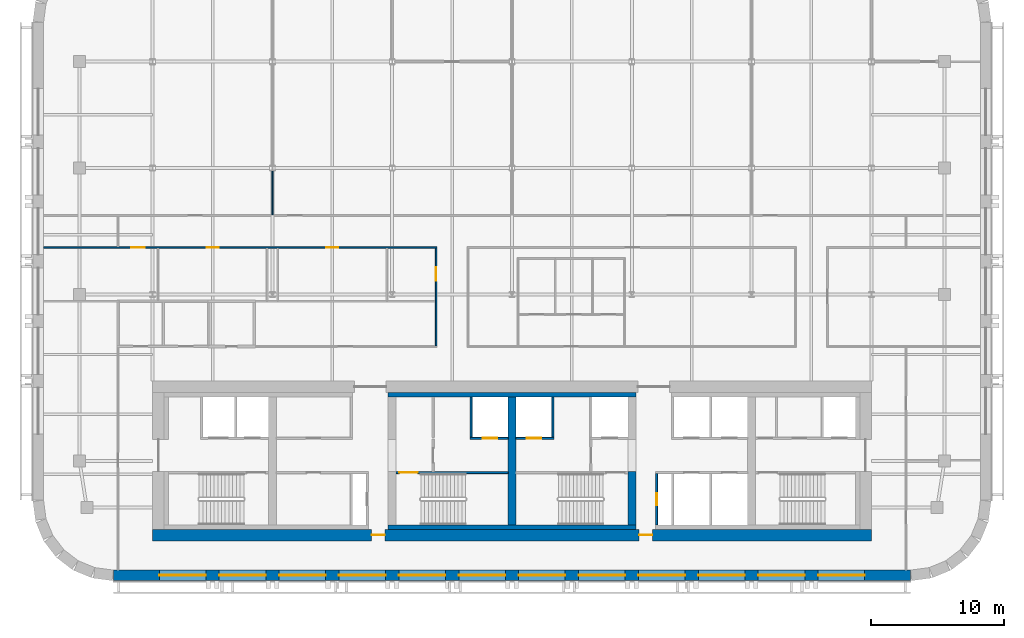
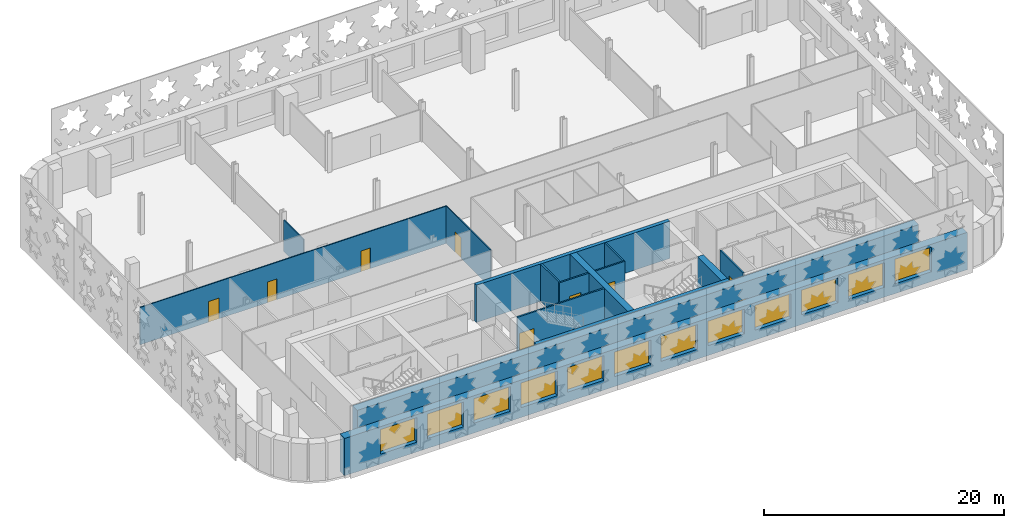
# One storey, part 4 of 12: 15 walls, 12 windows, 10 doors, 22 openings.
"""IFC4 building model written with IfcOpenShell, lengths in metres."""

from ifc_helpers import new_model, si_unit, direction, frame, frame_2d, origin, place, context, subcontext, project, spatial, rectangle, extrude, material, layer, layer_set, type_object, element, fill, save


model = new_model("IFC4")

# Units and contexts
model_context = context("Model", 3, precision=1e-05, world=origin(), true_north=direction((0.0, 1.0)))
body_context = subcontext(model_context, "Body", "Model", "MODEL_VIEW")
ifc_project = project(units=[si_unit("LENGTHUNIT", "METRE"), si_unit("AREAUNIT", "SQUARE_METRE"), si_unit("VOLUMEUNIT", "CUBIC_METRE"), si_unit("PLANEANGLEUNIT", "RADIAN"), si_unit("MASSUNIT", "GRAM", prefix="KILO")], contexts=[model_context])

# Site, building, storey
site_placement = place(None, origin())
site = spatial("IfcSite", under=ifc_project, at=site_placement, CompositionType="ELEMENT")
building_placement = place(site_placement, origin())
building = spatial("IfcBuilding", under=site, at=building_placement, Name="Zellij Exchange Tower", CompositionType="ELEMENT")
storey_placement = place(building_placement, frame((0.0, 0.0, 196.5)))
storey = spatial("IfcBuildingStorey", under=building, at=storey_placement, Name="L45", CompositionType="ELEMENT", Elevation=196.5)

# Walls
ifc_material_1 = material(Name="Concrete C60/75", Category="concrete")
ifc_layer_1 = layer(ifc_material_1, 0.60009765625)
ifc_layer_set_1 = layer_set([ifc_layer_1], Name="Concrete C60/75")
wall_type_1 = type_object("IfcWallType", Name="CORE-CW 600 C60/75", PredefinedType="SHEAR", material=ifc_layer_set_1)
wall_1_placement = place(storey_placement, frame((0.0, -12.800048828125, 0.0), z_axis=(0.0, 0.0, 1.0), x_axis=(0.0, 1.0, 0.0)))
element("IfcWall", 1, at=wall_1_placement, inside=storey, type_object=wall_type_1, Name="Core cross wall x 0 L45", PredefinedType="SHEAR", context=body_context, shape_type="SweptSolid", body=[
    extrude(rectangle(XDim=9.60009765625, YDim=0.60009765625, at=frame_2d((4.800048828125, 0.0))), origin(), (0.0, 0.0, 1.0), 3.800048828125),
])
wall_2_placement = place(storey_placement, frame((9.0, -12.800048828125, 0.0), z_axis=(0.0, 0.0, 1.0), x_axis=(0.0, 1.0, 0.0)))
element("IfcWall", 2, at=wall_2_placement, inside=storey, type_object=wall_type_1, Name="Core cross wall pier x 9 a L45", PredefinedType="SHEAR", context=body_context, shape_type="SweptSolid", body=[
    extrude(rectangle(XDim=4.0, YDim=0.60009765625, at=frame_2d((2.0, 0.0))), origin(), (0.0, 0.0, 1.0), 3.800048828125),
])
ifc_material_2 = material(Name="Concrete C30/37", Category="concrete")
ifc_layer_2 = layer(ifc_material_2, 0.35009765625)
ifc_layer_set_2 = layer_set([ifc_layer_2], Name="Concrete C30/37")
wall_type_2 = type_object("IfcWallType", Name="CORE-LW 350 C30/37", PredefinedType="SHEAR", material=ifc_layer_set_2)
for number, where, z_axis, x_axis, name in (
    (3, (-9.300048828125, -3.02490234375, 0.0), (0.0, 0.0, 1.0), (1.0, 0.0, 0.0), "Core wall lining front.1 L45"),
    (4, (-9.300048828125, -12.97509765625, 0.0), (0.0, 0.0, 1.0), (1.0, 0.0, 0.0), "Core wall lining rear.1 L45"),
):
    element("IfcWall", number, at=place(storey_placement, frame(where, z_axis=z_axis, x_axis=x_axis)), inside=storey, type_object=wall_type_2, Name=name, PredefinedType="SHEAR", context=body_context, shape_type="SweptSolid", body=[
        extrude(rectangle(XDim=18.60009765625, YDim=0.35009765625, at=frame_2d((9.300048828125, 0.0))), origin(), (0.0, 0.0, 1.0), 3.800048828125),
    ])

# Wall, opening, door
ifc_material_3 = material(Name="Gypsum board partition")
ifc_layer_3 = layer(ifc_material_3, 0.14990234375)
ifc_layer_set_3 = layer_set([ifc_layer_3], Name="Gypsum board partition")
wall_type_3 = type_object("IfcWallType", Name="CORE-PW 150 Lift lobby wall", PredefinedType="PARTITIONING", material=ifc_layer_set_3)
wall_3_placement = place(storey_placement, frame((10.875, -12.800048828125, 0.0), z_axis=(0.0, 0.0, 1.0), x_axis=(0.0, 1.0, 0.0)))
wall_3 = element("IfcWall", 5, at=wall_3_placement, inside=storey, type_object=wall_type_3, Name="Lift lobby wall L45", PredefinedType="PARTITIONING", context=body_context, shape_type="SweptSolid", body=[
    extrude(rectangle(XDim=3.85009765625, YDim=0.14990234375, at=frame_2d((1.925048828125, 0.0))), origin(), (0.0, 0.0, 1.0), 3.800048828125),
])
opening_1_placement = place(wall_3_placement, frame((1.47509765625, 0.0, 0.0)))
opening_1 = element("IfcOpeningElement", 6, at=opening_1_placement, cuts=wall_3, Name="Opening CA-24.19", PredefinedType="OPENING", context=body_context, shape_type="SweptSolid", body=[
    extrude(rectangle(XDim=0.89990234375, YDim=2.10009765625, at=frame_2d((0.449951171875, 1.050048828125))), frame((0.0, 0.0869140625, 0.0), z_axis=(0.0, -1.0, 0.0), x_axis=(1.0, 0.0, 0.0)), (0.0, 0.0, 1.0), 0.173828125),
])
ifc_material_4 = material(Name="Hollow metal fire door")
door_type_1 = type_object("IfcDoorType", Name="CORE-D RD Riser door 900x2100 1.5 HR", OperationType="NOTDEFINED", PredefinedType="DOOR", material=ifc_material_4)
door_1_placement = place(opening_1_placement, origin())
door_1 = element("IfcDoor", 7, at=door_1_placement, inside=storey, type_object=door_type_1, Name="Riser door CA-24.19", OperationType="SINGLE_SWING_LEFT", OverallHeight=2.10009765625, OverallWidth=0.89990234375, PredefinedType="DOOR", context=body_context, shape_type="SweptSolid", body=[
    extrude(rectangle(XDim=0.89990234375, YDim=2.10009765625, at=frame_2d((0.449951171875, 1.050048828125))), frame((0.0, 0.02490234375, 0.0), z_axis=(0.0, -1.0, 0.0), x_axis=(1.0, 0.0, 0.0)), (0.0, 0.0, 1.0), 0.050048828125),
])
fill(opening_1, door_1)

# Walls
ifc_material_5 = material(Name="Gypsum shaft wall system")
ifc_layer_4 = layer(ifc_material_5, 0.14990234375)
ifc_layer_set_4 = layer_set([ifc_layer_4], Name="Gypsum shaft wall system")
wall_type_4 = type_object("IfcWallType", Name="CORE-PW 150 Lift shaft wall", PredefinedType="PARTITIONING", material=ifc_layer_set_4)
for number, where, z_axis, x_axis, name in (
    (8, (-3.074951171875, -6.22509765625, 0.0), (0.0, 0.0, 1.0), (0.0, 1.0, 0.0), "Lift shaft wall L45"),
    (9, (3.074951171875, -6.22509765625, 0.0), (0.0, 0.0, 1.0), (0.0, 1.0, 0.0), "Lift shaft wall L45"),
):
    element("IfcWall", number, at=place(storey_placement, frame(where, z_axis=z_axis, x_axis=x_axis)), inside=storey, type_object=wall_type_4, Name=name, PredefinedType="PARTITIONING", context=body_context, shape_type="SweptSolid", body=[
        extrude(rectangle(XDim=3.025146484375, YDim=0.14990234375, at=frame_2d((1.5126953125, 0.0))), origin(), (0.0, 0.0, 1.0), 3.800048828125),
    ])

# Wall, opening, door
wall_4_placement = place(storey_placement, frame((-3.14990234375, -6.300048828125, 0.0), z_axis=(0.0, 0.0, 1.0), x_axis=(1.0, 0.0, 0.0)))
wall_4 = element("IfcWall", 10, at=wall_4_placement, inside=storey, type_object=wall_type_4, Name="Lift shaft wall L45", PredefinedType="PARTITIONING", context=body_context, shape_type="SweptSolid", body=[
    extrude(rectangle(XDim=2.849853515625, YDim=0.14990234375, at=frame_2d((1.4248046875, 0.0))), origin(), (0.0, 0.0, 1.0), 3.800048828125),
])
opening_2_placement = place(wall_4_placement, frame((0.949951171875, 0.0, 0.0)))
opening_2 = element("IfcOpeningElement", 11, at=opening_2_placement, cuts=wall_4, Name="Opening CA-24.12", PredefinedType="OPENING", context=body_context, shape_type="SweptSolid", body=[
    extrude(rectangle(XDim=1.10009765625, YDim=2.10009765625, at=frame_2d((0.550048828125, 1.050048828125))), frame((0.0, 0.0869140625, 0.0), z_axis=(0.0, -1.0, 0.0), x_axis=(1.0, 0.0, 0.0)), (0.0, 0.0, 1.0), 0.173828125),
])
door_type_2 = type_object("IfcDoorType", Name="CORE-D LD Lift landing door 1100x2100 1.5 HR", OperationType="NOTDEFINED", PredefinedType="DOOR", material=ifc_material_4)
door_2_placement = place(opening_2_placement, origin())
door_2 = element("IfcDoor", 12, at=door_2_placement, inside=storey, type_object=door_type_2, Name="Lift landing door CA-24.12", OperationType="SLIDING_TO_RIGHT", OverallHeight=2.10009765625, OverallWidth=1.10009765625, PredefinedType="DOOR", context=body_context, shape_type="SweptSolid", body=[
    extrude(rectangle(XDim=1.10009765625, YDim=2.10009765625, at=frame_2d((0.550048828125, 1.050048828125))), frame((0.0, 0.02490234375, 0.0), z_axis=(0.0, -1.0, 0.0), x_axis=(1.0, 0.0, 0.0)), (0.0, 0.0, 1.0), 0.050048828125),
])
fill(opening_2, door_2)

wall_5_placement = place(storey_placement, frame((0.300048828125, -6.300048828125, 0.0), z_axis=(0.0, 0.0, 1.0), x_axis=(1.0, 0.0, 0.0)))
wall_5 = element("IfcWall", 13, at=wall_5_placement, inside=storey, type_object=wall_type_4, Name="Lift shaft wall L45", PredefinedType="PARTITIONING", context=body_context, shape_type="SweptSolid", body=[
    extrude(rectangle(XDim=2.849853515625, YDim=0.14990234375, at=frame_2d((1.4248046875, 0.0))), origin(), (0.0, 0.0, 1.0), 3.800048828125),
])
opening_3_placement = place(wall_5_placement, frame((0.800048828125, 0.0, 0.0)))
opening_3 = element("IfcOpeningElement", 14, at=opening_3_placement, cuts=wall_5, Name="Opening CA-24.13", PredefinedType="OPENING", context=body_context, shape_type="SweptSolid", body=[
    extrude(rectangle(XDim=1.10009765625, YDim=2.10009765625, at=frame_2d((0.550048828125, 1.050048828125))), frame((0.0, 0.0869140625, 0.0), z_axis=(0.0, -1.0, 0.0), x_axis=(1.0, 0.0, 0.0)), (0.0, 0.0, 1.0), 0.173828125),
])
door_3_placement = place(opening_3_placement, origin())
door_3 = element("IfcDoor", 15, at=door_3_placement, inside=storey, type_object=door_type_2, Name="Lift landing door CA-24.13", OperationType="SLIDING_TO_LEFT", OverallHeight=2.10009765625, OverallWidth=1.10009765625, PredefinedType="DOOR", context=body_context, shape_type="SweptSolid", body=[
    extrude(rectangle(XDim=1.10009765625, YDim=2.10009765625, at=frame_2d((0.550048828125, 1.050048828125))), frame((0.0, 0.02490234375, 0.0), z_axis=(0.0, -1.0, 0.0), x_axis=(1.0, 0.0, 0.0)), (0.0, 0.0, 1.0), 0.050048828125),
])
fill(opening_3, door_3)

# Wall, openings, doors
ifc_layer_5 = layer(ifc_material_1, 0.85009765625)
ifc_layer_set_5 = layer_set([ifc_layer_5], Name="Concrete C60/75")
wall_type_5 = type_object("IfcWallType", Name="CORE-SW 850 C60/75", PredefinedType="SHEAR", material=ifc_layer_set_5)
wall_6_placement = place(storey_placement, frame((-27.0, -13.574951171875, 0.0), z_axis=(0.0, 0.0, 1.0), x_axis=(1.0, 0.0, 0.0)))
wall_6 = element("IfcWall", 16, at=wall_6_placement, inside=storey, type_object=wall_type_5, Name="Core shear wall rear L45", PredefinedType="SHEAR", context=body_context, shape_type="SweptSolid", body=[
    extrude(rectangle(XDim=54.0, YDim=0.85009765625, at=frame_2d((27.0, 0.0))), origin(), (0.0, 0.0, 1.0), 3.800048828125),
])
opening_4_placement = place(wall_6_placement, frame((16.449951171875, 0.0, 0.0)))
opening_4 = element("IfcOpeningElement", 17, at=opening_4_placement, cuts=wall_6, Name="Opening CA-24.09", PredefinedType="OPENING", context=body_context, shape_type="SweptSolid", body=[
    extrude(rectangle(XDim=1.0, YDim=2.10009765625, at=frame_2d((0.5, 1.050048828125))), frame((0.0, 0.43701171875, 0.0), z_axis=(0.0, -1.0, 0.0), x_axis=(1.0, 0.0, 0.0)), (0.0, 0.0, 1.0), 0.8740234375),
])
opening_5_placement = place(wall_6_placement, frame((36.550048828125, 0.0, 0.0)))
opening_5 = element("IfcOpeningElement", 18, at=opening_5_placement, cuts=wall_6, Name="Opening CA-24.17", PredefinedType="OPENING", context=body_context, shape_type="SweptSolid", body=[
    extrude(rectangle(XDim=1.0, YDim=2.10009765625, at=frame_2d((0.5, 1.050048828125))), frame((0.0, 0.43701171875, 0.0), z_axis=(0.0, -1.0, 0.0), x_axis=(1.0, 0.0, 0.0)), (0.0, 0.0, 1.0), 0.8740234375),
])
door_type_3 = type_object("IfcDoorType", Name="CORE-D CR Core rear door 1000x2100 20 MIN", OperationType="NOTDEFINED", PredefinedType="DOOR", material=ifc_material_4)
door_4_placement = place(opening_4_placement, origin())
door_4 = element("IfcDoor", 19, at=door_4_placement, inside=storey, type_object=door_type_3, Name="Core rear door CA-24.09", OperationType="SINGLE_SWING_RIGHT", OverallHeight=2.10009765625, OverallWidth=1.0, PredefinedType="DOOR", context=body_context, shape_type="SweptSolid", body=[
    extrude(rectangle(XDim=1.0, YDim=2.10009765625, at=frame_2d((0.5, 1.050048828125))), frame((0.0, 0.02490234375, 0.0), z_axis=(0.0, -1.0, 0.0), x_axis=(1.0, 0.0, 0.0)), (0.0, 0.0, 1.0), 0.050048828125),
])
fill(opening_4, door_4)
door_5_placement = place(opening_5_placement, origin())
door_5 = element("IfcDoor", 20, at=door_5_placement, inside=storey, type_object=door_type_3, Name="Core rear door CA-24.17", OperationType="SINGLE_SWING_LEFT", OverallHeight=2.10009765625, OverallWidth=1.0, PredefinedType="DOOR", context=body_context, shape_type="SweptSolid", body=[
    extrude(rectangle(XDim=1.0, YDim=2.10009765625, at=frame_2d((0.5, 1.050048828125))), frame((0.0, 0.02490234375, 0.0), z_axis=(0.0, -1.0, 0.0), x_axis=(1.0, 0.0, 0.0)), (0.0, 0.0, 1.0), 0.050048828125),
])
fill(opening_5, door_5)

# Wall, opening, door
ifc_layer_6 = layer(ifc_material_1, 0.14990234375)
ifc_layer_set_6 = layer_set([ifc_layer_6], Name="Concrete C60/75")
wall_type_6 = type_object("IfcWallType", Name="CORE-SWS 150 C60/75", PredefinedType="SHEAR", material=ifc_layer_set_6)
wall_7_placement = place(storey_placement, frame((-8.699951171875, -8.875, 0.0), z_axis=(0.0, 0.0, 1.0), x_axis=(1.0, 0.0, 0.0)))
wall_7 = element("IfcWall", 21, at=wall_7_placement, inside=storey, type_object=wall_type_6, Name="Stair enclosure wall L45", PredefinedType="SHEAR", context=body_context, shape_type="SweptSolid", body=[
    extrude(rectangle(XDim=8.39990234375, YDim=0.14990234375, at=frame_2d((4.199951171875, 0.0))), origin(), (0.0, 0.0, 1.0), 3.800048828125),
])
opening_6_placement = place(wall_7_placement, frame((0.22509765625, 0.0, 0.0)))
opening_6 = element("IfcOpeningElement", 22, at=opening_6_placement, cuts=wall_7, Name="Opening CA-24.10", PredefinedType="OPENING", context=body_context, shape_type="SweptSolid", body=[
    extrude(rectangle(XDim=1.39990234375, YDim=2.10009765625, at=frame_2d((0.699951171875, 1.050048828125))), frame((0.0, 0.0869140625, 0.0), z_axis=(0.0, -1.0, 0.0), x_axis=(1.0, 0.0, 0.0)), (0.0, 0.0, 1.0), 0.173828125),
])
door_type_4 = type_object("IfcDoorType", Name="CORE-D SD Stair door 1400x2100 1.5 HR", OperationType="NOTDEFINED", PredefinedType="DOOR", material=ifc_material_4)
door_6_placement = place(opening_6_placement, origin())
door_6 = element("IfcDoor", 23, at=door_6_placement, inside=storey, type_object=door_type_4, Name="Stair door CA-24.10", OperationType="DOUBLE_DOOR_SINGLE_SWING", OverallHeight=2.10009765625, OverallWidth=1.39990234375, PredefinedType="DOOR", context=body_context, shape_type="SweptSolid", body=[
    extrude(rectangle(XDim=1.39990234375, YDim=2.10009765625, at=frame_2d((0.699951171875, 1.050048828125))), frame((0.0, 0.02490234375, 0.0), z_axis=(0.0, -1.0, 0.0), x_axis=(1.0, 0.0, 0.0)), (0.0, 0.0, 1.0), 0.050048828125),
])
fill(opening_6, door_6)

# Wall, openings, windows
ifc_material_6 = material(Name="Precast concrete C40/50", Category="concrete")
ifc_layer_7 = layer(ifc_material_6, 0.800048828125)
ifc_layer_set_7 = layer_set([ifc_layer_7], Name="Precast concrete C40/50")
wall_type_7 = type_object("IfcWallType", Name="ENV-EW1 Precast stone-piered wall 800", PredefinedType="SOLIDWALL", material=ifc_layer_set_7)
wall_8_placement = place(storey_placement, frame((-29.947509765625, -16.60009765625, 0.0), z_axis=(0.0, 0.0, 1.0), x_axis=(1.0, 0.0, 0.0)))
wall_8 = element("IfcWall", 24, at=wall_8_placement, inside=storey, type_object=wall_type_7, Name="fac.L45.00", PredefinedType="SOLIDWALL", context=body_context, shape_type="SweptSolid", body=[
    extrude(rectangle(XDim=59.89501953125, YDim=0.800048828125, at=frame_2d((29.947509765625, 0.0))), origin(), (0.0, 0.0, 1.0), 3.800048828125),
])
opening_7_placement = place(wall_8_placement, frame((3.447509765625, 0.0, 1.0)))
opening_7 = element("IfcOpeningElement", 25, at=opening_7_placement, cuts=wall_8, Name="Opening FZ3.01", PredefinedType="OPENING", context=body_context, shape_type="SweptSolid", body=[
    extrude(rectangle(XDim=3.5, YDim=2.5, at=frame_2d((1.75, 1.25))), frame((0.0, 0.412109375, 0.0), z_axis=(0.0, -1.0, 0.0), x_axis=(1.0, 0.0, 0.0)), (0.0, 0.0, 1.0), 0.823974609375),
])
opening_8_placement = place(wall_8_placement, frame((7.947509765625, 0.0, 1.0)))
opening_8 = element("IfcOpeningElement", 26, at=opening_8_placement, cuts=wall_8, Name="Opening FZ3.02", PredefinedType="OPENING", context=body_context, shape_type="SweptSolid", body=[
    extrude(rectangle(XDim=3.5, YDim=2.5, at=frame_2d((1.75, 1.25))), frame((0.0, 0.412109375, 0.0), z_axis=(0.0, -1.0, 0.0), x_axis=(1.0, 0.0, 0.0)), (0.0, 0.0, 1.0), 0.823974609375),
])
opening_9_placement = place(wall_8_placement, frame((12.447509765625, 0.0, 1.0)))
opening_9 = element("IfcOpeningElement", 27, at=opening_9_placement, cuts=wall_8, Name="Opening FZ3.03", PredefinedType="OPENING", context=body_context, shape_type="SweptSolid", body=[
    extrude(rectangle(XDim=3.5, YDim=2.5, at=frame_2d((1.75, 1.25))), frame((0.0, 0.412109375, 0.0), z_axis=(0.0, -1.0, 0.0), x_axis=(1.0, 0.0, 0.0)), (0.0, 0.0, 1.0), 0.823974609375),
])
opening_10_placement = place(wall_8_placement, frame((16.947509765625, 0.0, 1.0)))
opening_10 = element("IfcOpeningElement", 28, at=opening_10_placement, cuts=wall_8, Name="Opening FZ3.04", PredefinedType="OPENING", context=body_context, shape_type="SweptSolid", body=[
    extrude(rectangle(XDim=3.5, YDim=2.5, at=frame_2d((1.75, 1.25))), frame((0.0, 0.412109375, 0.0), z_axis=(0.0, -1.0, 0.0), x_axis=(1.0, 0.0, 0.0)), (0.0, 0.0, 1.0), 0.823974609375),
])
opening_11_placement = place(wall_8_placement, frame((21.447509765625, 0.0, 1.0)))
opening_11 = element("IfcOpeningElement", 29, at=opening_11_placement, cuts=wall_8, Name="Opening FZ3.05", PredefinedType="OPENING", context=body_context, shape_type="SweptSolid", body=[
    extrude(rectangle(XDim=3.5, YDim=2.5, at=frame_2d((1.75, 1.25))), frame((0.0, 0.412109375, 0.0), z_axis=(0.0, -1.0, 0.0), x_axis=(1.0, 0.0, 0.0)), (0.0, 0.0, 1.0), 0.823974609375),
])
opening_12_placement = place(wall_8_placement, frame((25.947509765625, 0.0, 1.0)))
opening_12 = element("IfcOpeningElement", 30, at=opening_12_placement, cuts=wall_8, Name="Opening FZ3.06", PredefinedType="OPENING", context=body_context, shape_type="SweptSolid", body=[
    extrude(rectangle(XDim=3.5, YDim=2.5, at=frame_2d((1.75, 1.25))), frame((0.0, 0.412109375, 0.0), z_axis=(0.0, -1.0, 0.0), x_axis=(1.0, 0.0, 0.0)), (0.0, 0.0, 1.0), 0.823974609375),
])
opening_13_placement = place(wall_8_placement, frame((30.447509765625, 0.0, 1.0)))
opening_13 = element("IfcOpeningElement", 31, at=opening_13_placement, cuts=wall_8, Name="Opening FZ3.07", PredefinedType="OPENING", context=body_context, shape_type="SweptSolid", body=[
    extrude(rectangle(XDim=3.5, YDim=2.5, at=frame_2d((1.75, 1.25))), frame((0.0, 0.412109375, 0.0), z_axis=(0.0, -1.0, 0.0), x_axis=(1.0, 0.0, 0.0)), (0.0, 0.0, 1.0), 0.823974609375),
])
opening_14_placement = place(wall_8_placement, frame((34.947509765625, 0.0, 1.0)))
opening_14 = element("IfcOpeningElement", 32, at=opening_14_placement, cuts=wall_8, Name="Opening FZ3.08", PredefinedType="OPENING", context=body_context, shape_type="SweptSolid", body=[
    extrude(rectangle(XDim=3.5, YDim=2.5, at=frame_2d((1.75, 1.25))), frame((0.0, 0.412109375, 0.0), z_axis=(0.0, -1.0, 0.0), x_axis=(1.0, 0.0, 0.0)), (0.0, 0.0, 1.0), 0.823974609375),
])
opening_15_placement = place(wall_8_placement, frame((39.447509765625, 0.0, 1.0)))
opening_15 = element("IfcOpeningElement", 33, at=opening_15_placement, cuts=wall_8, Name="Opening FZ3.09", PredefinedType="OPENING", context=body_context, shape_type="SweptSolid", body=[
    extrude(rectangle(XDim=3.5, YDim=2.5, at=frame_2d((1.75, 1.25))), frame((0.0, 0.412109375, 0.0), z_axis=(0.0, -1.0, 0.0), x_axis=(1.0, 0.0, 0.0)), (0.0, 0.0, 1.0), 0.823974609375),
])
opening_16_placement = place(wall_8_placement, frame((43.947509765625, 0.0, 1.0)))
opening_16 = element("IfcOpeningElement", 34, at=opening_16_placement, cuts=wall_8, Name="Opening FZ3.10", PredefinedType="OPENING", context=body_context, shape_type="SweptSolid", body=[
    extrude(rectangle(XDim=3.5, YDim=2.5, at=frame_2d((1.75, 1.25))), frame((0.0, 0.412109375, 0.0), z_axis=(0.0, -1.0, 0.0), x_axis=(1.0, 0.0, 0.0)), (0.0, 0.0, 1.0), 0.823974609375),
])
opening_17_placement = place(wall_8_placement, frame((48.447509765625, 0.0, 1.0)))
opening_17 = element("IfcOpeningElement", 35, at=opening_17_placement, cuts=wall_8, Name="Opening FZ3.11", PredefinedType="OPENING", context=body_context, shape_type="SweptSolid", body=[
    extrude(rectangle(XDim=3.5, YDim=2.5, at=frame_2d((1.75, 1.25))), frame((0.0, 0.412109375, 0.0), z_axis=(0.0, -1.0, 0.0), x_axis=(1.0, 0.0, 0.0)), (0.0, 0.0, 1.0), 0.823974609375),
])
opening_18_placement = place(wall_8_placement, frame((52.947509765625, 0.0, 1.0)))
opening_18 = element("IfcOpeningElement", 36, at=opening_18_placement, cuts=wall_8, Name="Opening FZ3.12", PredefinedType="OPENING", context=body_context, shape_type="SweptSolid", body=[
    extrude(rectangle(XDim=3.5, YDim=2.5, at=frame_2d((1.75, 1.25))), frame((0.0, 0.412109375, 0.0), z_axis=(0.0, -1.0, 0.0), x_axis=(1.0, 0.0, 0.0)), (0.0, 0.0, 1.0), 0.823974609375),
])
ifc_material_7 = material(Name="Aluminium frame with insulating glass", Category="aluminium")
window_type = type_object("IfcWindowType", Name="ENV-W1 Window 3500x2500", PartitioningType="SINGLE_PANEL", PredefinedType="WINDOW", material=ifc_material_7)
window_1_placement = place(opening_7_placement, origin())
window_1 = element("IfcWindow", 37, at=window_1_placement, inside=storey, type_object=window_type, Name="Window FZ3.01", OverallHeight=2.5, OverallWidth=3.5, PartitioningType="SINGLE_PANEL", PredefinedType="WINDOW", context=body_context, shape_type="SweptSolid", body=[
    extrude(rectangle(XDim=3.5, YDim=2.5, at=frame_2d((1.75, 1.25))), frame((0.0, 0.030029296875, 0.0), z_axis=(0.0, -1.0, 0.0), x_axis=(1.0, 0.0, 0.0)), (0.0, 0.0, 1.0), 0.06005859375),
])
fill(opening_7, window_1)
window_2_placement = place(opening_8_placement, origin())
window_2 = element("IfcWindow", 38, at=window_2_placement, inside=storey, type_object=window_type, Name="Window FZ3.02", OverallHeight=2.5, OverallWidth=3.5, PartitioningType="SINGLE_PANEL", PredefinedType="WINDOW", context=body_context, shape_type="SweptSolid", body=[
    extrude(rectangle(XDim=3.5, YDim=2.5, at=frame_2d((1.75, 1.25))), frame((0.0, 0.030029296875, 0.0), z_axis=(0.0, -1.0, 0.0), x_axis=(1.0, 0.0, 0.0)), (0.0, 0.0, 1.0), 0.06005859375),
])
fill(opening_8, window_2)
window_3_placement = place(opening_9_placement, origin())
window_3 = element("IfcWindow", 39, at=window_3_placement, inside=storey, type_object=window_type, Name="Window FZ3.03", OverallHeight=2.5, OverallWidth=3.5, PartitioningType="SINGLE_PANEL", PredefinedType="WINDOW", context=body_context, shape_type="SweptSolid", body=[
    extrude(rectangle(XDim=3.5, YDim=2.5, at=frame_2d((1.75, 1.25))), frame((0.0, 0.030029296875, 0.0), z_axis=(0.0, -1.0, 0.0), x_axis=(1.0, 0.0, 0.0)), (0.0, 0.0, 1.0), 0.06005859375),
])
fill(opening_9, window_3)
window_4_placement = place(opening_10_placement, origin())
window_4 = element("IfcWindow", 40, at=window_4_placement, inside=storey, type_object=window_type, Name="Window FZ3.04", OverallHeight=2.5, OverallWidth=3.5, PartitioningType="SINGLE_PANEL", PredefinedType="WINDOW", context=body_context, shape_type="SweptSolid", body=[
    extrude(rectangle(XDim=3.5, YDim=2.5, at=frame_2d((1.75, 1.25))), frame((0.0, 0.030029296875, 0.0), z_axis=(0.0, -1.0, 0.0), x_axis=(1.0, 0.0, 0.0)), (0.0, 0.0, 1.0), 0.06005859375),
])
fill(opening_10, window_4)
window_5_placement = place(opening_11_placement, origin())
window_5 = element("IfcWindow", 41, at=window_5_placement, inside=storey, type_object=window_type, Name="Window FZ3.05", OverallHeight=2.5, OverallWidth=3.5, PartitioningType="SINGLE_PANEL", PredefinedType="WINDOW", context=body_context, shape_type="SweptSolid", body=[
    extrude(rectangle(XDim=3.5, YDim=2.5, at=frame_2d((1.75, 1.25))), frame((0.0, 0.030029296875, 0.0), z_axis=(0.0, -1.0, 0.0), x_axis=(1.0, 0.0, 0.0)), (0.0, 0.0, 1.0), 0.06005859375),
])
fill(opening_11, window_5)
window_6_placement = place(opening_12_placement, origin())
window_6 = element("IfcWindow", 42, at=window_6_placement, inside=storey, type_object=window_type, Name="Window FZ3.06", OverallHeight=2.5, OverallWidth=3.5, PartitioningType="SINGLE_PANEL", PredefinedType="WINDOW", context=body_context, shape_type="SweptSolid", body=[
    extrude(rectangle(XDim=3.5, YDim=2.5, at=frame_2d((1.75, 1.25))), frame((0.0, 0.030029296875, 0.0), z_axis=(0.0, -1.0, 0.0), x_axis=(1.0, 0.0, 0.0)), (0.0, 0.0, 1.0), 0.06005859375),
])
fill(opening_12, window_6)
window_7_placement = place(opening_13_placement, origin())
window_7 = element("IfcWindow", 43, at=window_7_placement, inside=storey, type_object=window_type, Name="Window FZ3.07", OverallHeight=2.5, OverallWidth=3.5, PartitioningType="SINGLE_PANEL", PredefinedType="WINDOW", context=body_context, shape_type="SweptSolid", body=[
    extrude(rectangle(XDim=3.5, YDim=2.5, at=frame_2d((1.75, 1.25))), frame((0.0, 0.030029296875, 0.0), z_axis=(0.0, -1.0, 0.0), x_axis=(1.0, 0.0, 0.0)), (0.0, 0.0, 1.0), 0.06005859375),
])
fill(opening_13, window_7)
window_8_placement = place(opening_14_placement, origin())
window_8 = element("IfcWindow", 44, at=window_8_placement, inside=storey, type_object=window_type, Name="Window FZ3.08", OverallHeight=2.5, OverallWidth=3.5, PartitioningType="SINGLE_PANEL", PredefinedType="WINDOW", context=body_context, shape_type="SweptSolid", body=[
    extrude(rectangle(XDim=3.5, YDim=2.5, at=frame_2d((1.75, 1.25))), frame((0.0, 0.030029296875, 0.0), z_axis=(0.0, -1.0, 0.0), x_axis=(1.0, 0.0, 0.0)), (0.0, 0.0, 1.0), 0.06005859375),
])
fill(opening_14, window_8)
window_9_placement = place(opening_15_placement, origin())
window_9 = element("IfcWindow", 45, at=window_9_placement, inside=storey, type_object=window_type, Name="Window FZ3.09", OverallHeight=2.5, OverallWidth=3.5, PartitioningType="SINGLE_PANEL", PredefinedType="WINDOW", context=body_context, shape_type="SweptSolid", body=[
    extrude(rectangle(XDim=3.5, YDim=2.5, at=frame_2d((1.75, 1.25))), frame((0.0, 0.030029296875, 0.0), z_axis=(0.0, -1.0, 0.0), x_axis=(1.0, 0.0, 0.0)), (0.0, 0.0, 1.0), 0.06005859375),
])
fill(opening_15, window_9)
window_10_placement = place(opening_16_placement, origin())
window_10 = element("IfcWindow", 46, at=window_10_placement, inside=storey, type_object=window_type, Name="Window FZ3.10", OverallHeight=2.5, OverallWidth=3.5, PartitioningType="SINGLE_PANEL", PredefinedType="WINDOW", context=body_context, shape_type="SweptSolid", body=[
    extrude(rectangle(XDim=3.5, YDim=2.5, at=frame_2d((1.75, 1.25))), frame((0.0, 0.030029296875, 0.0), z_axis=(0.0, -1.0, 0.0), x_axis=(1.0, 0.0, 0.0)), (0.0, 0.0, 1.0), 0.06005859375),
])
fill(opening_16, window_10)
window_11_placement = place(opening_17_placement, origin())
window_11 = element("IfcWindow", 47, at=window_11_placement, inside=storey, type_object=window_type, Name="Window FZ3.11", OverallHeight=2.5, OverallWidth=3.5, PartitioningType="SINGLE_PANEL", PredefinedType="WINDOW", context=body_context, shape_type="SweptSolid", body=[
    extrude(rectangle(XDim=3.5, YDim=2.5, at=frame_2d((1.75, 1.25))), frame((0.0, 0.030029296875, 0.0), z_axis=(0.0, -1.0, 0.0), x_axis=(1.0, 0.0, 0.0)), (0.0, 0.0, 1.0), 0.06005859375),
])
fill(opening_17, window_11)
window_12_placement = place(opening_18_placement, origin())
window_12 = element("IfcWindow", 48, at=window_12_placement, inside=storey, type_object=window_type, Name="Window FZ3.12", OverallHeight=2.5, OverallWidth=3.5, PartitioningType="SINGLE_PANEL", PredefinedType="WINDOW", context=body_context, shape_type="SweptSolid", body=[
    extrude(rectangle(XDim=3.5, YDim=2.5, at=frame_2d((1.75, 1.25))), frame((0.0, 0.030029296875, 0.0), z_axis=(0.0, -1.0, 0.0), x_axis=(1.0, 0.0, 0.0)), (0.0, 0.0, 1.0), 0.06005859375),
])
fill(opening_18, window_12)

# Wall, opening, door
ifc_material_8 = material(Name="Gypsum board partition on steel studs", Category="steel")
ifc_layer_8 = layer(ifc_material_8, 0.10009765625)
ifc_layer_set_8 = layer_set([ifc_layer_8], Name="Gypsum board partition on steel studs")
wall_type_8 = type_object("IfcWallType", Name="FIT-PARTITION-100", PredefinedType="PARTITIONING", material=ifc_layer_set_8)
wall_9_placement = place(storey_placement, frame((-5.699951171875, 0.64990234375, 0.0), z_axis=(0.0, 0.0, 1.0), x_axis=(0.0, 1.0, 0.0)))
wall_9 = element("IfcWall", 49, at=wall_9_placement, inside=storey, type_object=wall_type_8, Name="FIT-PARTITION-100 012", PredefinedType="PARTITIONING", context=body_context, shape_type="SweptSolid", body=[
    extrude(rectangle(XDim=7.35009765625, YDim=0.10009765625, at=frame_2d((3.675048828125, 0.0))), origin(), (0.0, 0.0, 1.0), 3.800048828125),
])
opening_19_placement = place(wall_9_placement, frame((4.89990234375, 0.0, 0.0)))
opening_19 = element("IfcOpeningElement", 50, at=opening_19_placement, cuts=wall_9, Name="Opening O3D.13", PredefinedType="OPENING", context=body_context, shape_type="SweptSolid", body=[
    extrude(rectangle(XDim=1.0, YDim=2.10009765625, at=frame_2d((0.5, 1.050048828125))), frame((0.0, 0.06201171875, 0.0), z_axis=(0.0, -1.0, 0.0), x_axis=(1.0, 0.0, 0.0)), (0.0, 0.0, 1.0), 0.1240234375),
])
ifc_material_9 = material(Name="Timber door set", Category="wood")
door_type_5 = type_object("IfcDoorType", Name="FIT-D2-WIDE-1000X2100", OperationType="SINGLE_SWING_LEFT", PredefinedType="DOOR", material=ifc_material_9)
door_7_placement = place(opening_19_placement, origin())
door_7 = element("IfcDoor", 51, at=door_7_placement, inside=storey, type_object=door_type_5, Name="Door O3D.13", OperationType="SINGLE_SWING_LEFT", OverallHeight=2.10009765625, OverallWidth=1.0, PredefinedType="DOOR", context=body_context, shape_type="SweptSolid", body=[
    extrude(rectangle(XDim=1.0, YDim=2.10009765625, at=frame_2d((0.5, 1.050048828125))), frame((0.0, 0.02490234375, 0.0), z_axis=(0.0, -1.0, 0.0), x_axis=(1.0, 0.0, 0.0)), (0.0, 0.0, 1.0), 0.050048828125),
])
fill(opening_19, door_7)

# Wall, openings, doors
wall_10_placement = place(storey_placement, frame((-35.199951171875, 8.050048828125, 0.0), z_axis=(0.0, 0.0, 1.0), x_axis=(1.0, 0.0, 0.0)))
wall_10 = element("IfcWall", 52, at=wall_10_placement, inside=storey, type_object=wall_type_8, Name="FIT-PARTITION-100 032", PredefinedType="PARTITIONING", context=body_context, shape_type="SweptSolid", body=[
    extrude(rectangle(XDim=29.550048828125, YDim=0.10009765625, at=frame_2d((14.77490234375, 0.0))), origin(), (0.0, 0.0, 1.0), 3.800048828125),
])
opening_20_placement = place(wall_10_placement, frame((6.60009765625, 0.0, 0.0)))
opening_20 = element("IfcOpeningElement", 53, at=opening_20_placement, cuts=wall_10, Name="Opening O3D.14", PredefinedType="OPENING", context=body_context, shape_type="SweptSolid", body=[
    extrude(rectangle(XDim=1.0, YDim=2.10009765625, at=frame_2d((0.5, 1.050048828125))), frame((0.0, 0.06201171875, 0.0), z_axis=(0.0, -1.0, 0.0), x_axis=(1.0, 0.0, 0.0)), (0.0, 0.0, 1.0), 0.1240234375),
])
opening_21_placement = place(wall_10_placement, frame((12.25, 0.0, 0.0)))
opening_21 = element("IfcOpeningElement", 54, at=opening_21_placement, cuts=wall_10, Name="Opening O3D.15", PredefinedType="OPENING", context=body_context, shape_type="SweptSolid", body=[
    extrude(rectangle(XDim=0.89990234375, YDim=2.10009765625, at=frame_2d((0.449951171875, 1.050048828125))), frame((0.0, 0.06201171875, 0.0), z_axis=(0.0, -1.0, 0.0), x_axis=(1.0, 0.0, 0.0)), (0.0, 0.0, 1.0), 0.1240234375),
])
opening_22_placement = place(wall_10_placement, frame((21.25, 0.0, 0.0)))
opening_22 = element("IfcOpeningElement", 55, at=opening_22_placement, cuts=wall_10, Name="Opening O3D.16", PredefinedType="OPENING", context=body_context, shape_type="SweptSolid", body=[
    extrude(rectangle(XDim=0.89990234375, YDim=2.10009765625, at=frame_2d((0.449951171875, 1.050048828125))), frame((0.0, 0.06201171875, 0.0), z_axis=(0.0, -1.0, 0.0), x_axis=(1.0, 0.0, 0.0)), (0.0, 0.0, 1.0), 0.1240234375),
])
door_type_6 = type_object("IfcDoorType", Name="FIT-D1-ROOM-900X2100", OperationType="SINGLE_SWING_LEFT", PredefinedType="DOOR", material=ifc_material_9)
door_8_placement = place(opening_21_placement, origin())
door_8 = element("IfcDoor", 56, at=door_8_placement, inside=storey, type_object=door_type_6, Name="Door O3D.15", OperationType="SINGLE_SWING_LEFT", OverallHeight=2.10009765625, OverallWidth=0.89990234375, PredefinedType="DOOR", context=body_context, shape_type="SweptSolid", body=[
    extrude(rectangle(XDim=0.89990234375, YDim=2.10009765625, at=frame_2d((0.449951171875, 1.050048828125))), frame((0.0, 0.02490234375, 0.0), z_axis=(0.0, -1.0, 0.0), x_axis=(1.0, 0.0, 0.0)), (0.0, 0.0, 1.0), 0.050048828125),
])
fill(opening_21, door_8)
door_9_placement = place(opening_22_placement, origin())
door_9 = element("IfcDoor", 57, at=door_9_placement, inside=storey, type_object=door_type_6, Name="Door O3D.16", OperationType="SINGLE_SWING_RIGHT", OverallHeight=2.10009765625, OverallWidth=0.89990234375, PredefinedType="DOOR", context=body_context, shape_type="SweptSolid", body=[
    extrude(rectangle(XDim=0.89990234375, YDim=2.10009765625, at=frame_2d((0.449951171875, 1.050048828125))), frame((0.0, 0.02490234375, 0.0), z_axis=(0.0, -1.0, 0.0), x_axis=(1.0, 0.0, 0.0)), (0.0, 0.0, 1.0), 0.050048828125),
])
fill(opening_22, door_9)
door_10_placement = place(opening_20_placement, origin())
door_10 = element("IfcDoor", 58, at=door_10_placement, inside=storey, type_object=door_type_5, Name="Door O3D.14", OperationType="SINGLE_SWING_LEFT", OverallHeight=2.10009765625, OverallWidth=1.0, PredefinedType="DOOR", context=body_context, shape_type="SweptSolid", body=[
    extrude(rectangle(XDim=1.0, YDim=2.10009765625, at=frame_2d((0.5, 1.050048828125))), frame((0.0, 0.02490234375, 0.0), z_axis=(0.0, -1.0, 0.0), x_axis=(1.0, 0.0, 0.0)), (0.0, 0.0, 1.0), 0.050048828125),
])
fill(opening_20, door_10)

# Wall
wall_11_placement = place(storey_placement, frame((-18.0, 10.5, 0.0), z_axis=(0.0, 0.0, 1.0), x_axis=(0.0, 1.0, 0.0)))
element("IfcWall", 59, at=wall_11_placement, inside=storey, type_object=wall_type_8, Name="FIT-PARTITION-100 038", PredefinedType="PARTITIONING", context=body_context, shape_type="SweptSolid", body=[
    extrude(rectangle(XDim=3.287841796875, YDim=0.10009765625, at=frame_2d((1.64404296875, 0.0))), origin(), (0.0, 0.0, 1.0), 3.19287109375),
])

save(model, "model.ifc")
